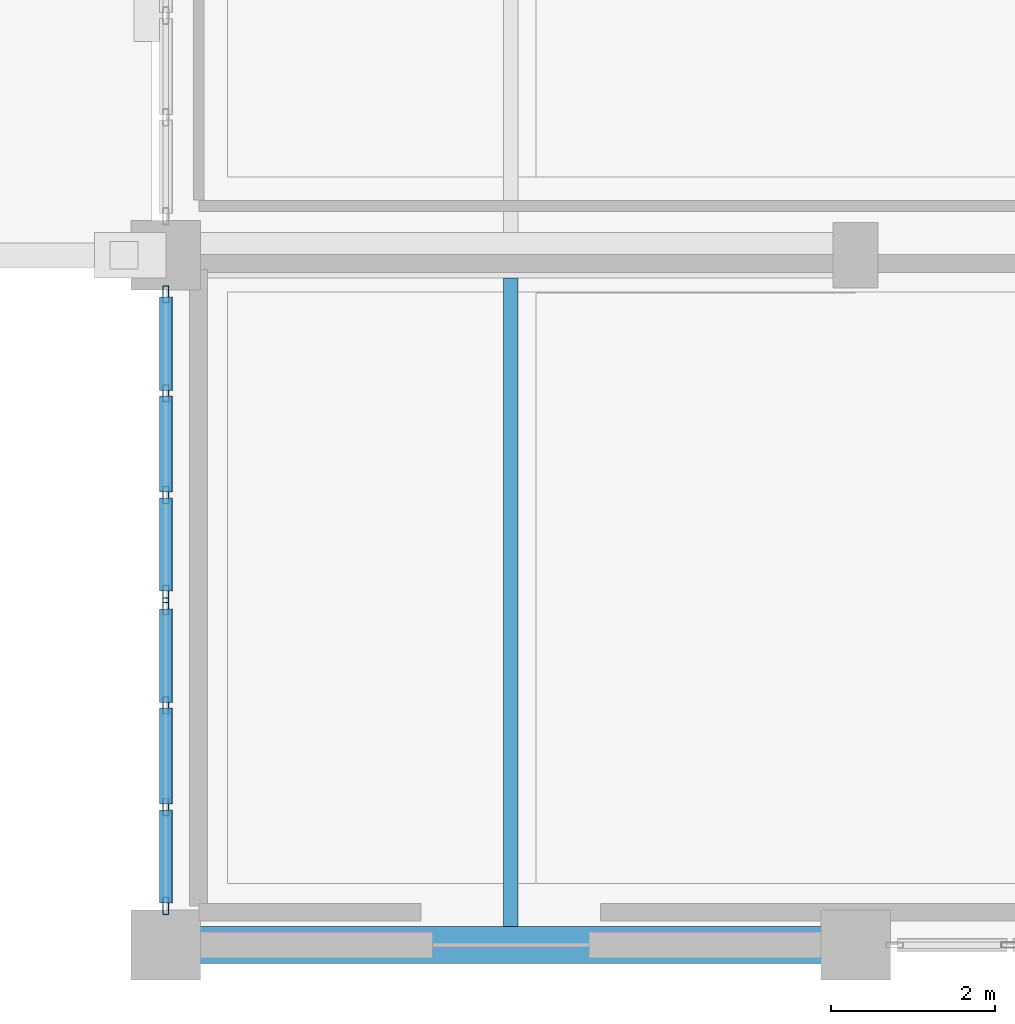
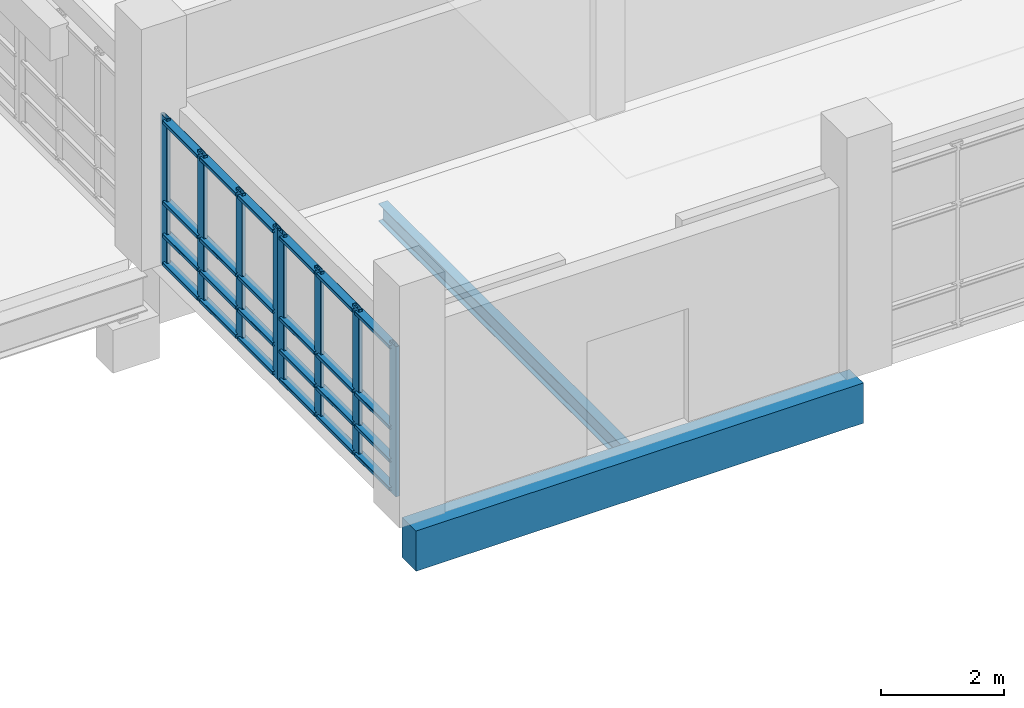
# One storey, part 22 of 97: 32 members, 2 beams, 2 elements without a shape of their own.
"""IFC4 building model written with IfcOpenShell, lengths in metres."""

from ifc_helpers import new_model, si_unit, direction, frame, origin, origin_2d, place, context, subcontext, project, spatial, rectangle, hollow_rectangle, i_section, extrude, material, layer, layer_set, material_profile, profile_set, type_object, element, aggregate, save


model = new_model("IFC4")

# Units and contexts
model_context = context("Model", 3, precision=1e-05, world=origin(), true_north=direction((0.0, 1.0)))
body_context = subcontext(model_context, "Body", "Model", "MODEL_VIEW")
ifc_project = project(units=[si_unit("LENGTHUNIT", "METRE"), si_unit("AREAUNIT", "SQUARE_METRE"), si_unit("VOLUMEUNIT", "CUBIC_METRE"), si_unit("PLANEANGLEUNIT", "RADIAN"), si_unit("MASSUNIT", "GRAM", prefix="KILO")], contexts=[model_context])

# Site, building, storey
site_placement = place(None, origin())
site = spatial("IfcSite", under=ifc_project, at=site_placement, CompositionType="ELEMENT")
building_placement = place(site_placement, origin())
building = spatial("IfcBuilding", under=site, at=building_placement, Name="Kisaragi Civic Commons", CompositionType="ELEMENT")
storey_placement = place(building_placement, origin())
storey = spatial("IfcBuildingStorey", under=building, at=storey_placement, Name="L00", CompositionType="ELEMENT", Elevation=0.0)

# Curtain wall, members
ifc_material_1 = material(Name="Thermally broken anodized aluminium and low-E double glazing", Category="aluminium")
ifc_layer = layer(ifc_material_1, 0.2099609375, Name="Thermally broken anodized aluminium and low-E double glazing", Category="aluminium")
ifc_layer_set = layer_set([ifc_layer], Name="Thermally broken anodized aluminium and low-E double glazing")
curtain_wall_type = type_object("IfcCurtainWallType", Name="CW-02", PredefinedType="NOTDEFINED", material=ifc_layer_set)
curtain_wall_1_placement = place(storey_placement, origin())
curtain_wall_1 = element("IfcCurtainWall", 1, at=curtain_wall_1_placement, inside=storey, type_object=curtain_wall_type, Name="L00 curtain wall CW-02 CW-V3-L00-015", PredefinedType="NOTDEFINED")
ifc_material_profile_1 = material_profile(ifc_material_1, hollow_rectangle(XDim=0.070068359375, YDim=0.2099609375, WallThickness=0.0048828125, InnerFilletRadius=0.0048828125, OuterFilletRadius=0.010009765625, at=origin_2d()), Name="CWM-70x210x5", Category="aluminium")
ifc_profile_set_1 = profile_set([ifc_material_profile_1], Name="Thermally broken anodized aluminium and low-E double glazing")
member_type_1 = type_object("IfcMemberType", Name="CWM-03", PredefinedType="MULLION", material=ifc_profile_set_1)
member_1_placement = place(storey_placement, frame((105.60009765625, 0.47509765625, 0.0), z_axis=(0.0, 0.0, 1.0), x_axis=(-1.0, 0.0, 0.0)))
member_1 = element("IfcMember", 2, at=member_1_placement, type_object=member_type_1, Name="CW-02 mullion 1", PredefinedType="MULLION", context=body_context, shape_type="SweptSolid", body=[
    extrude(hollow_rectangle(XDim=0.070068359375, YDim=0.2099609375, WallThickness=0.0048828125, InnerFilletRadius=0.0048828125, OuterFilletRadius=0.010009765625, at=origin_2d()), origin(), (0.0, 0.0, 1.0), 2.97998046875),
])
member_2_placement = place(storey_placement, frame((105.60009765625, 1.679931640625, 0.0), z_axis=(0.0, 0.0, 1.0), x_axis=(-1.0, 0.0, 0.0)))
member_2 = element("IfcMember", 3, at=member_2_placement, type_object=member_type_1, Name="CW-02 mullion 2", PredefinedType="MULLION", context=body_context, shape_type="SweptSolid", body=[
    extrude(hollow_rectangle(XDim=0.070068359375, YDim=0.2099609375, WallThickness=0.0048828125, InnerFilletRadius=0.0048828125, OuterFilletRadius=0.010009765625, at=origin_2d()), origin(), (0.0, 0.0, 1.0), 2.97998046875),
])
member_3_placement = place(storey_placement, frame((105.60009765625, 2.919921875, 0.0), z_axis=(0.0, 0.0, 1.0), x_axis=(-1.0, 0.0, 0.0)))
member_3 = element("IfcMember", 4, at=member_3_placement, type_object=member_type_1, Name="CW-02 mullion 3", PredefinedType="MULLION", context=body_context, shape_type="SweptSolid", body=[
    extrude(hollow_rectangle(XDim=0.070068359375, YDim=0.2099609375, WallThickness=0.0048828125, InnerFilletRadius=0.0048828125, OuterFilletRadius=0.010009765625, at=origin_2d()), origin(), (0.0, 0.0, 1.0), 2.97998046875),
])
member_4_placement = place(storey_placement, frame((105.60009765625, 4.125, 0.0), z_axis=(0.0, 0.0, 1.0), x_axis=(-1.0, 0.0, 0.0)))
member_4 = element("IfcMember", 5, at=member_4_placement, type_object=member_type_1, Name="CW-02 mullion 4", PredefinedType="MULLION", context=body_context, shape_type="SweptSolid", body=[
    extrude(hollow_rectangle(XDim=0.070068359375, YDim=0.2099609375, WallThickness=0.0048828125, InnerFilletRadius=0.0048828125, OuterFilletRadius=0.010009765625, at=origin_2d()), origin(), (0.0, 0.0, 1.0), 2.97998046875),
])

curtain_wall_2_placement = place(storey_placement, origin())
curtain_wall_2 = element("IfcCurtainWall", 6, at=curtain_wall_2_placement, inside=storey, type_object=curtain_wall_type, Name="L00 curtain wall CW-02 CW-V3-L00-016", PredefinedType="NOTDEFINED")
member_5_placement = place(storey_placement, frame((105.60009765625, 4.27490234375, 0.0), z_axis=(0.0, 0.0, 1.0), x_axis=(-1.0, 0.0, 0.0)))
member_5 = element("IfcMember", 7, at=member_5_placement, type_object=member_type_1, Name="CW-02 mullion 1", PredefinedType="MULLION", context=body_context, shape_type="SweptSolid", body=[
    extrude(hollow_rectangle(XDim=0.070068359375, YDim=0.2099609375, WallThickness=0.0048828125, InnerFilletRadius=0.0048828125, OuterFilletRadius=0.010009765625, at=origin_2d()), origin(), (0.0, 0.0, 1.0), 2.97998046875),
])
member_6_placement = place(storey_placement, frame((105.60009765625, 5.47998046875, 0.0), z_axis=(0.0, 0.0, 1.0), x_axis=(-1.0, 0.0, 0.0)))
member_6 = element("IfcMember", 8, at=member_6_placement, type_object=member_type_1, Name="CW-02 mullion 2", PredefinedType="MULLION", context=body_context, shape_type="SweptSolid", body=[
    extrude(hollow_rectangle(XDim=0.070068359375, YDim=0.2099609375, WallThickness=0.0048828125, InnerFilletRadius=0.0048828125, OuterFilletRadius=0.010009765625, at=origin_2d()), origin(), (0.0, 0.0, 1.0), 2.97998046875),
])
member_7_placement = place(storey_placement, frame((105.60009765625, 6.719970703125, 0.0), z_axis=(0.0, 0.0, 1.0), x_axis=(-1.0, 0.0, 0.0)))
member_7 = element("IfcMember", 9, at=member_7_placement, type_object=member_type_1, Name="CW-02 mullion 3", PredefinedType="MULLION", context=body_context, shape_type="SweptSolid", body=[
    extrude(hollow_rectangle(XDim=0.070068359375, YDim=0.2099609375, WallThickness=0.0048828125, InnerFilletRadius=0.0048828125, OuterFilletRadius=0.010009765625, at=origin_2d()), origin(), (0.0, 0.0, 1.0), 2.97998046875),
])
member_8_placement = place(storey_placement, frame((105.60009765625, 7.925048828125, 0.0), z_axis=(0.0, 0.0, 1.0), x_axis=(-1.0, 0.0, 0.0)))
member_8 = element("IfcMember", 10, at=member_8_placement, type_object=member_type_1, Name="CW-02 mullion 4", PredefinedType="MULLION", context=body_context, shape_type="SweptSolid", body=[
    extrude(hollow_rectangle(XDim=0.070068359375, YDim=0.2099609375, WallThickness=0.0048828125, InnerFilletRadius=0.0048828125, OuterFilletRadius=0.010009765625, at=origin_2d()), origin(), (0.0, 0.0, 1.0), 2.97998046875),
])

# Member
ifc_material_profile_2 = material_profile(ifc_material_1, hollow_rectangle(XDim=0.159912109375, YDim=0.070068359375, WallThickness=0.0048828125, InnerFilletRadius=0.0048828125, OuterFilletRadius=0.010009765625, at=origin_2d()), Name="CWT-70x160x5", Category="aluminium")
ifc_profile_set_2 = profile_set([ifc_material_profile_2], Name="Thermally broken anodized aluminium and low-E double glazing")
member_type_2 = type_object("IfcMemberType", Name="CWT-03", PredefinedType="USERDEFINED", material=ifc_profile_set_2)
member_9_placement = place(storey_placement, frame((105.60009765625, 0.510009765625, 0.080078125), z_axis=(0.0, 1.0, 0.0), x_axis=(-1.0, 0.0, 0.0)))
member_9 = element("IfcMember", 11, at=member_9_placement, type_object=member_type_2, Name="CW-02 transom 1.1", ObjectType="TRANSOM", PredefinedType="USERDEFINED", context=body_context, shape_type="SweptSolid", body=[
    extrude(hollow_rectangle(XDim=0.159912109375, YDim=0.070068359375, WallThickness=0.0048828125, InnerFilletRadius=0.0048828125, OuterFilletRadius=0.010009765625, at=origin_2d()), origin(), (0.0, 0.0, 1.0), 1.135009765625),
])

member_10_placement = place(storey_placement, frame((105.60009765625, 0.510009765625, 0.64990234375), z_axis=(0.0, 1.0, 0.0), x_axis=(-1.0, 0.0, 0.0)))
member_10 = element("IfcMember", 12, at=member_10_placement, type_object=member_type_2, Name="CW-02 transom 1.2", ObjectType="TRANSOM", PredefinedType="USERDEFINED", context=body_context, shape_type="SweptSolid", body=[
    extrude(hollow_rectangle(XDim=0.159912109375, YDim=0.070068359375, WallThickness=0.0048828125, InnerFilletRadius=0.0048828125, OuterFilletRadius=0.010009765625, at=origin_2d()), origin(), (0.0, 0.0, 1.0), 1.135009765625),
])

member_11_placement = place(storey_placement, frame((105.60009765625, 0.510009765625, 1.300048828125), z_axis=(0.0, 1.0, 0.0), x_axis=(-1.0, 0.0, 0.0)))
member_11 = element("IfcMember", 13, at=member_11_placement, type_object=member_type_2, Name="CW-02 transom 1.3", ObjectType="TRANSOM", PredefinedType="USERDEFINED", context=body_context, shape_type="SweptSolid", body=[
    extrude(hollow_rectangle(XDim=0.159912109375, YDim=0.070068359375, WallThickness=0.0048828125, InnerFilletRadius=0.0048828125, OuterFilletRadius=0.010009765625, at=origin_2d()), origin(), (0.0, 0.0, 1.0), 1.135009765625),
])

member_12_placement = place(storey_placement, frame((105.60009765625, 0.510009765625, 2.89990234375), z_axis=(0.0, 1.0, 0.0), x_axis=(-1.0, 0.0, 0.0)))
member_12 = element("IfcMember", 14, at=member_12_placement, type_object=member_type_2, Name="CW-02 transom 1.4", ObjectType="TRANSOM", PredefinedType="USERDEFINED", context=body_context, shape_type="SweptSolid", body=[
    extrude(hollow_rectangle(XDim=0.159912109375, YDim=0.070068359375, WallThickness=0.0048828125, InnerFilletRadius=0.0048828125, OuterFilletRadius=0.010009765625, at=origin_2d()), origin(), (0.0, 0.0, 1.0), 1.135009765625),
])

member_13_placement = place(storey_placement, frame((105.60009765625, 1.715087890625, 0.080078125), z_axis=(0.0, 1.0, 0.0), x_axis=(-1.0, 0.0, 0.0)))
member_13 = element("IfcMember", 15, at=member_13_placement, type_object=member_type_2, Name="CW-02 transom 2.1", ObjectType="TRANSOM", PredefinedType="USERDEFINED", context=body_context, shape_type="SweptSolid", body=[
    extrude(hollow_rectangle(XDim=0.159912109375, YDim=0.070068359375, WallThickness=0.0048828125, InnerFilletRadius=0.0048828125, OuterFilletRadius=0.010009765625, at=origin_2d()), origin(), (0.0, 0.0, 1.0), 1.169921875),
])

member_14_placement = place(storey_placement, frame((105.60009765625, 1.715087890625, 0.64990234375), z_axis=(0.0, 1.0, 0.0), x_axis=(-1.0, 0.0, 0.0)))
member_14 = element("IfcMember", 16, at=member_14_placement, type_object=member_type_2, Name="CW-02 transom 2.2", ObjectType="TRANSOM", PredefinedType="USERDEFINED", context=body_context, shape_type="SweptSolid", body=[
    extrude(hollow_rectangle(XDim=0.159912109375, YDim=0.070068359375, WallThickness=0.0048828125, InnerFilletRadius=0.0048828125, OuterFilletRadius=0.010009765625, at=origin_2d()), origin(), (0.0, 0.0, 1.0), 1.169921875),
])

member_15_placement = place(storey_placement, frame((105.60009765625, 1.715087890625, 1.300048828125), z_axis=(0.0, 1.0, 0.0), x_axis=(-1.0, 0.0, 0.0)))
member_15 = element("IfcMember", 17, at=member_15_placement, type_object=member_type_2, Name="CW-02 transom 2.3", ObjectType="TRANSOM", PredefinedType="USERDEFINED", context=body_context, shape_type="SweptSolid", body=[
    extrude(hollow_rectangle(XDim=0.159912109375, YDim=0.070068359375, WallThickness=0.0048828125, InnerFilletRadius=0.0048828125, OuterFilletRadius=0.010009765625, at=origin_2d()), origin(), (0.0, 0.0, 1.0), 1.169921875),
])

member_16_placement = place(storey_placement, frame((105.60009765625, 1.715087890625, 2.89990234375), z_axis=(0.0, 1.0, 0.0), x_axis=(-1.0, 0.0, 0.0)))
member_16 = element("IfcMember", 18, at=member_16_placement, type_object=member_type_2, Name="CW-02 transom 2.4", ObjectType="TRANSOM", PredefinedType="USERDEFINED", context=body_context, shape_type="SweptSolid", body=[
    extrude(hollow_rectangle(XDim=0.159912109375, YDim=0.070068359375, WallThickness=0.0048828125, InnerFilletRadius=0.0048828125, OuterFilletRadius=0.010009765625, at=origin_2d()), origin(), (0.0, 0.0, 1.0), 1.169921875),
])

member_17_placement = place(storey_placement, frame((105.60009765625, 2.955078125, 0.080078125), z_axis=(0.0, 1.0, 0.0), x_axis=(-1.0, 0.0, 0.0)))
member_17 = element("IfcMember", 19, at=member_17_placement, type_object=member_type_2, Name="CW-02 transom 3.1", ObjectType="TRANSOM", PredefinedType="USERDEFINED", context=body_context, shape_type="SweptSolid", body=[
    extrude(hollow_rectangle(XDim=0.159912109375, YDim=0.070068359375, WallThickness=0.0048828125, InnerFilletRadius=0.0048828125, OuterFilletRadius=0.010009765625, at=origin_2d()), origin(), (0.0, 0.0, 1.0), 1.135009765625),
])

member_18_placement = place(storey_placement, frame((105.60009765625, 2.955078125, 0.64990234375), z_axis=(0.0, 1.0, 0.0), x_axis=(-1.0, 0.0, 0.0)))
member_18 = element("IfcMember", 20, at=member_18_placement, type_object=member_type_2, Name="CW-02 transom 3.2", ObjectType="TRANSOM", PredefinedType="USERDEFINED", context=body_context, shape_type="SweptSolid", body=[
    extrude(hollow_rectangle(XDim=0.159912109375, YDim=0.070068359375, WallThickness=0.0048828125, InnerFilletRadius=0.0048828125, OuterFilletRadius=0.010009765625, at=origin_2d()), origin(), (0.0, 0.0, 1.0), 1.135009765625),
])

member_19_placement = place(storey_placement, frame((105.60009765625, 2.955078125, 1.300048828125), z_axis=(0.0, 1.0, 0.0), x_axis=(-1.0, 0.0, 0.0)))
member_19 = element("IfcMember", 21, at=member_19_placement, type_object=member_type_2, Name="CW-02 transom 3.3", ObjectType="TRANSOM", PredefinedType="USERDEFINED", context=body_context, shape_type="SweptSolid", body=[
    extrude(hollow_rectangle(XDim=0.159912109375, YDim=0.070068359375, WallThickness=0.0048828125, InnerFilletRadius=0.0048828125, OuterFilletRadius=0.010009765625, at=origin_2d()), origin(), (0.0, 0.0, 1.0), 1.135009765625),
])

member_20_placement = place(storey_placement, frame((105.60009765625, 2.955078125, 2.89990234375), z_axis=(0.0, 1.0, 0.0), x_axis=(-1.0, 0.0, 0.0)))
member_20 = element("IfcMember", 22, at=member_20_placement, type_object=member_type_2, Name="CW-02 transom 3.4", ObjectType="TRANSOM", PredefinedType="USERDEFINED", context=body_context, shape_type="SweptSolid", body=[
    extrude(hollow_rectangle(XDim=0.159912109375, YDim=0.070068359375, WallThickness=0.0048828125, InnerFilletRadius=0.0048828125, OuterFilletRadius=0.010009765625, at=origin_2d()), origin(), (0.0, 0.0, 1.0), 1.135009765625),
])

aggregate(curtain_wall_1, [member_1, member_2, member_3, member_4, member_9, member_10, member_11, member_12, member_13, member_14, member_15, member_16, member_17, member_18, member_19, member_20])

member_21_placement = place(storey_placement, frame((105.60009765625, 4.31005859375, 0.080078125), z_axis=(0.0, 1.0, 0.0), x_axis=(-1.0, 0.0, 0.0)))
member_21 = element("IfcMember", 23, at=member_21_placement, type_object=member_type_2, Name="CW-02 transom 1.1", ObjectType="TRANSOM", PredefinedType="USERDEFINED", context=body_context, shape_type="SweptSolid", body=[
    extrude(hollow_rectangle(XDim=0.159912109375, YDim=0.070068359375, WallThickness=0.0048828125, InnerFilletRadius=0.0048828125, OuterFilletRadius=0.010009765625, at=origin_2d()), origin(), (0.0, 0.0, 1.0), 1.135009765625),
])

member_22_placement = place(storey_placement, frame((105.60009765625, 4.31005859375, 0.64990234375), z_axis=(0.0, 1.0, 0.0), x_axis=(-1.0, 0.0, 0.0)))
member_22 = element("IfcMember", 24, at=member_22_placement, type_object=member_type_2, Name="CW-02 transom 1.2", ObjectType="TRANSOM", PredefinedType="USERDEFINED", context=body_context, shape_type="SweptSolid", body=[
    extrude(hollow_rectangle(XDim=0.159912109375, YDim=0.070068359375, WallThickness=0.0048828125, InnerFilletRadius=0.0048828125, OuterFilletRadius=0.010009765625, at=origin_2d()), origin(), (0.0, 0.0, 1.0), 1.135009765625),
])

member_23_placement = place(storey_placement, frame((105.60009765625, 4.31005859375, 1.300048828125), z_axis=(0.0, 1.0, 0.0), x_axis=(-1.0, 0.0, 0.0)))
member_23 = element("IfcMember", 25, at=member_23_placement, type_object=member_type_2, Name="CW-02 transom 1.3", ObjectType="TRANSOM", PredefinedType="USERDEFINED", context=body_context, shape_type="SweptSolid", body=[
    extrude(hollow_rectangle(XDim=0.159912109375, YDim=0.070068359375, WallThickness=0.0048828125, InnerFilletRadius=0.0048828125, OuterFilletRadius=0.010009765625, at=origin_2d()), origin(), (0.0, 0.0, 1.0), 1.135009765625),
])

member_24_placement = place(storey_placement, frame((105.60009765625, 4.31005859375, 2.89990234375), z_axis=(0.0, 1.0, 0.0), x_axis=(-1.0, 0.0, 0.0)))
member_24 = element("IfcMember", 26, at=member_24_placement, type_object=member_type_2, Name="CW-02 transom 1.4", ObjectType="TRANSOM", PredefinedType="USERDEFINED", context=body_context, shape_type="SweptSolid", body=[
    extrude(hollow_rectangle(XDim=0.159912109375, YDim=0.070068359375, WallThickness=0.0048828125, InnerFilletRadius=0.0048828125, OuterFilletRadius=0.010009765625, at=origin_2d()), origin(), (0.0, 0.0, 1.0), 1.135009765625),
])

member_25_placement = place(storey_placement, frame((105.60009765625, 5.514892578125, 0.080078125), z_axis=(0.0, 1.0, 0.0), x_axis=(-1.0, 0.0, 0.0)))
member_25 = element("IfcMember", 27, at=member_25_placement, type_object=member_type_2, Name="CW-02 transom 2.1", ObjectType="TRANSOM", PredefinedType="USERDEFINED", context=body_context, shape_type="SweptSolid", body=[
    extrude(hollow_rectangle(XDim=0.159912109375, YDim=0.070068359375, WallThickness=0.0048828125, InnerFilletRadius=0.0048828125, OuterFilletRadius=0.010009765625, at=origin_2d()), origin(), (0.0, 0.0, 1.0), 1.170166015625),
])

member_26_placement = place(storey_placement, frame((105.60009765625, 5.514892578125, 0.64990234375), z_axis=(0.0, 1.0, 0.0), x_axis=(-1.0, 0.0, 0.0)))
member_26 = element("IfcMember", 28, at=member_26_placement, type_object=member_type_2, Name="CW-02 transom 2.2", ObjectType="TRANSOM", PredefinedType="USERDEFINED", context=body_context, shape_type="SweptSolid", body=[
    extrude(hollow_rectangle(XDim=0.159912109375, YDim=0.070068359375, WallThickness=0.0048828125, InnerFilletRadius=0.0048828125, OuterFilletRadius=0.010009765625, at=origin_2d()), origin(), (0.0, 0.0, 1.0), 1.170166015625),
])

member_27_placement = place(storey_placement, frame((105.60009765625, 5.514892578125, 1.300048828125), z_axis=(0.0, 1.0, 0.0), x_axis=(-1.0, 0.0, 0.0)))
member_27 = element("IfcMember", 29, at=member_27_placement, type_object=member_type_2, Name="CW-02 transom 2.3", ObjectType="TRANSOM", PredefinedType="USERDEFINED", context=body_context, shape_type="SweptSolid", body=[
    extrude(hollow_rectangle(XDim=0.159912109375, YDim=0.070068359375, WallThickness=0.0048828125, InnerFilletRadius=0.0048828125, OuterFilletRadius=0.010009765625, at=origin_2d()), origin(), (0.0, 0.0, 1.0), 1.170166015625),
])

member_28_placement = place(storey_placement, frame((105.60009765625, 5.514892578125, 2.89990234375), z_axis=(0.0, 1.0, 0.0), x_axis=(-1.0, 0.0, 0.0)))
member_28 = element("IfcMember", 30, at=member_28_placement, type_object=member_type_2, Name="CW-02 transom 2.4", ObjectType="TRANSOM", PredefinedType="USERDEFINED", context=body_context, shape_type="SweptSolid", body=[
    extrude(hollow_rectangle(XDim=0.159912109375, YDim=0.070068359375, WallThickness=0.0048828125, InnerFilletRadius=0.0048828125, OuterFilletRadius=0.010009765625, at=origin_2d()), origin(), (0.0, 0.0, 1.0), 1.170166015625),
])

member_29_placement = place(storey_placement, frame((105.60009765625, 6.7548828125, 0.080078125), z_axis=(0.0, 1.0, 0.0), x_axis=(-1.0, 0.0, 0.0)))
member_29 = element("IfcMember", 31, at=member_29_placement, type_object=member_type_2, Name="CW-02 transom 3.1", ObjectType="TRANSOM", PredefinedType="USERDEFINED", context=body_context, shape_type="SweptSolid", body=[
    extrude(hollow_rectangle(XDim=0.159912109375, YDim=0.070068359375, WallThickness=0.0048828125, InnerFilletRadius=0.0048828125, OuterFilletRadius=0.010009765625, at=origin_2d()), origin(), (0.0, 0.0, 1.0), 1.135009765625),
])

member_30_placement = place(storey_placement, frame((105.60009765625, 6.7548828125, 0.64990234375), z_axis=(0.0, 1.0, 0.0), x_axis=(-1.0, 0.0, 0.0)))
member_30 = element("IfcMember", 32, at=member_30_placement, type_object=member_type_2, Name="CW-02 transom 3.2", ObjectType="TRANSOM", PredefinedType="USERDEFINED", context=body_context, shape_type="SweptSolid", body=[
    extrude(hollow_rectangle(XDim=0.159912109375, YDim=0.070068359375, WallThickness=0.0048828125, InnerFilletRadius=0.0048828125, OuterFilletRadius=0.010009765625, at=origin_2d()), origin(), (0.0, 0.0, 1.0), 1.135009765625),
])

member_31_placement = place(storey_placement, frame((105.60009765625, 6.7548828125, 1.300048828125), z_axis=(0.0, 1.0, 0.0), x_axis=(-1.0, 0.0, 0.0)))
member_31 = element("IfcMember", 33, at=member_31_placement, type_object=member_type_2, Name="CW-02 transom 3.3", ObjectType="TRANSOM", PredefinedType="USERDEFINED", context=body_context, shape_type="SweptSolid", body=[
    extrude(hollow_rectangle(XDim=0.159912109375, YDim=0.070068359375, WallThickness=0.0048828125, InnerFilletRadius=0.0048828125, OuterFilletRadius=0.010009765625, at=origin_2d()), origin(), (0.0, 0.0, 1.0), 1.135009765625),
])

member_32_placement = place(storey_placement, frame((105.60009765625, 6.7548828125, 2.89990234375), z_axis=(0.0, 1.0, 0.0), x_axis=(-1.0, 0.0, 0.0)))
member_32 = element("IfcMember", 34, at=member_32_placement, type_object=member_type_2, Name="CW-02 transom 3.4", ObjectType="TRANSOM", PredefinedType="USERDEFINED", context=body_context, shape_type="SweptSolid", body=[
    extrude(hollow_rectangle(XDim=0.159912109375, YDim=0.070068359375, WallThickness=0.0048828125, InnerFilletRadius=0.0048828125, OuterFilletRadius=0.010009765625, at=origin_2d()), origin(), (0.0, 0.0, 1.0), 1.135009765625),
])

aggregate(curtain_wall_2, [member_5, member_6, member_7, member_8, member_21, member_22, member_23, member_24, member_25, member_26, member_27, member_28, member_29, member_30, member_31, member_32])

# Beams
ifc_material_2 = material(Name="Steel SN400 (SN400B)", Category="steel")
ifc_material_profile_3 = material_profile(ifc_material_2, i_section(OverallWidth=0.175048828125, OverallDepth=0.35009765625, WebThickness=0.007080078125, FlangeThickness=0.010986328125, FilletRadius=0.012939453125, at=origin_2d()), Name="H-350x175x7x11", Category="steel")
ifc_profile_set_3 = profile_set([ifc_material_profile_3], Name="Steel SN400 (SN400B)")
beam_type_1 = type_object("IfcBeamType", Name="J-02", PredefinedType="JOIST", material=ifc_profile_set_3)
beam_1_placement = place(storey_placement, frame((109.800048828125, 0.22509765625, -0.5), z_axis=(0.0, 1.0, 0.0), x_axis=(-1.0, 0.0, 0.0)))
element("IfcBeam", 35, at=beam_1_placement, inside=storey, type_object=beam_type_1, Name="L00 secondary steel joist J-02 19", PredefinedType="JOIST", context=body_context, shape_type="SweptSolid", body=[
    extrude(i_section(OverallWidth=0.175048828125, OverallDepth=0.35009765625, WebThickness=0.007080078125, FlangeThickness=0.010986328125, FilletRadius=0.012939453125, at=origin_2d()), origin(), (0.0, 0.0, 1.0), 7.89990234375),
])
ifc_material_3 = material(Name="Concrete Fc30", Category="concrete")
ifc_material_profile_4 = material_profile(ifc_material_3, rectangle(XDim=0.449951171875, YDim=0.800048828125, at=origin_2d()), Name="RC-450x800", Category="concrete")
ifc_profile_set_4 = profile_set([ifc_material_profile_4], Name="Concrete Fc30")
beam_type_2 = type_object("IfcBeamType", Name="SPB-01", PredefinedType="SPANDREL", material=ifc_profile_set_4)
beam_2_placement = place(storey_placement, frame((105.60009765625, 0.0, -0.72509765625), z_axis=(1.0, 0.0, 0.0), x_axis=(0.0, 1.0, 0.0)))
element("IfcBeam", 36, at=beam_2_placement, inside=storey, type_object=beam_type_2, Name="L00 girder SPB-01 90", PredefinedType="SPANDREL", context=body_context, shape_type="SweptSolid", body=[
    extrude(rectangle(XDim=0.449951171875, YDim=0.800048828125, at=origin_2d()), origin(), (0.0, 0.0, 1.0), 8.39990234375),
])

save(model, "model.ifc")
